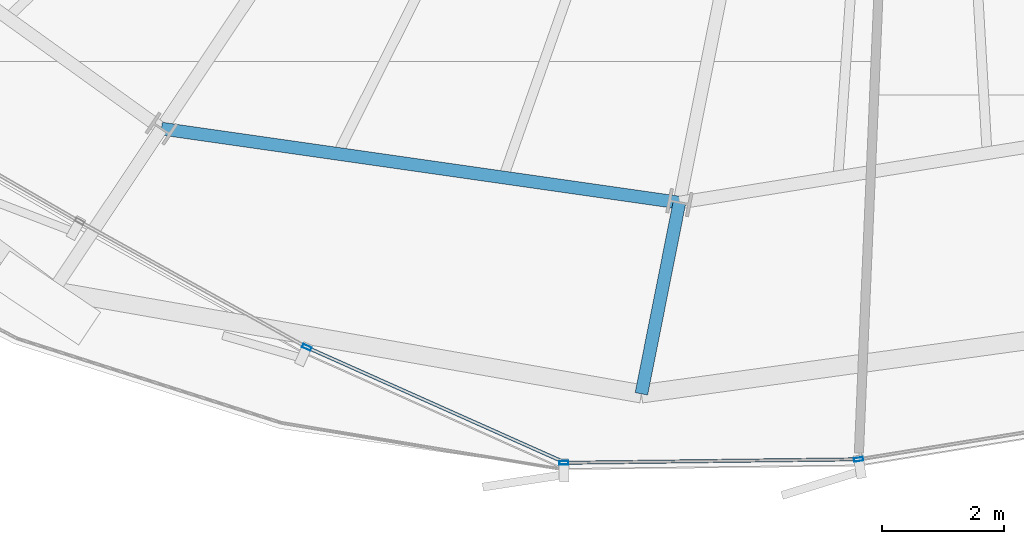
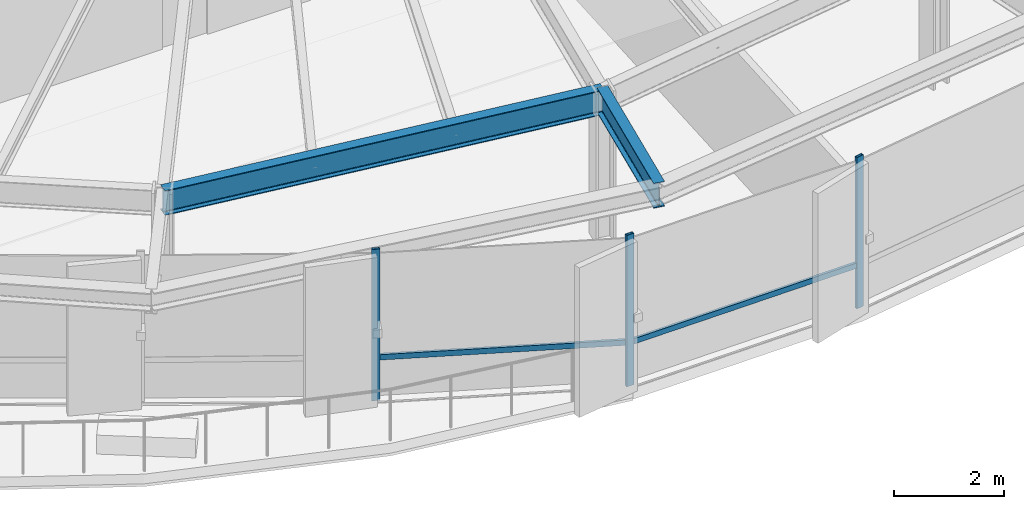
# One storey, part 5 of 35: 5 members, 2 beams, 1 element without a shape of its own.
"""IFC4 building model written with IfcOpenShell, lengths in metres."""

import ifcopenshell
import ifcopenshell.guid

model = None  # the IFC model being written
_history = None  # IfcOwnerHistory: only IFC2X3 demands one
_inside = {}  # id of a spatial element -> (the spatial element, [elements in it])
_under = {}  # id of a project, library or spatial element -> (it, [spatial elements below it])
_declared = {}  # id of a project -> (the project, [libraries it declares])
_typed = {}  # id of a type object -> (the type object, [elements of that type])
_made_of = {}  # id of a material, layer set ... -> (it, [elements and type objects made of it])


def new_model(schema):
    """Start an empty IFC model of exactly this schema.

    Asked for "IFC4X3", IfcOpenShell would pick the latest addendum, in which some entities
    have other attributes; the version numbers below select the first issue.
    IFC2X3 requires an IfcOwnerHistory on every rooted entity: one is made here for all.
    """
    global model, _history
    if schema == "IFC4X3":
        model = ifcopenshell.file(schema_version=(4, 3, 0, 0))
    else:
        model = ifcopenshell.file(schema=schema)
    _inside.clear()
    _under.clear()
    _declared.clear()
    _typed.clear()
    _made_of.clear()
    _history = None
    if model.schema == "IFC2X3":
        org = make("IfcOrganization", Name="unknown")
        user = make(
            "IfcPersonAndOrganization",
            ThePerson=make("IfcPerson", FamilyName="unknown"),
            TheOrganization=org,
        )
        app = make(
            "IfcApplication",
            ApplicationDeveloper=org,
            Version="unknown",
            ApplicationFullName="unknown",
            ApplicationIdentifier="unknown",
        )
        _history = make(
            "IfcOwnerHistory",
            OwningUser=user,
            OwningApplication=app,
            ChangeAction="ADDED",
            CreationDate=0,
        )
    return model


def make(cls, **values):
    """One entity of the class cls with the attributes given. An attribute that is None is left unset."""
    return model.create_entity(
        cls, **{name: value for name, value in values.items() if value is not None}
    )


def rooted(cls, **values):
    """An entity with a GlobalId (a new one), such as an element, a storey or a relation."""
    return make(cls, GlobalId=ifcopenshell.guid.new(), OwnerHistory=_history, **values)


def si_unit(unit_type, name, prefix=None):
    """IfcSIUnit, for example si_unit("LENGTHUNIT", "METRE", prefix="MILLI")."""
    return make("IfcSIUnit", UnitType=unit_type, Prefix=prefix, Name=name)


def assignment(units):
    """IfcUnitAssignment: the units of a project."""
    return None if units is None else make("IfcUnitAssignment", Units=units)


def point(xyz):
    """IfcCartesianPoint."""
    return None if xyz is None else make("IfcCartesianPoint", Coordinates=xyz)


def direction(xyz):
    """IfcDirection."""
    return None if xyz is None else make("IfcDirection", DirectionRatios=xyz)


def frame(location, z_axis=None, x_axis=None):
    """IfcAxis2Placement3D, a coordinate frame: its origin and axes. An axis left out is left unset."""
    return make(
        "IfcAxis2Placement3D",
        Location=point(location),
        Axis=direction(z_axis),
        RefDirection=direction(x_axis),
    )


def frame_2d(location, x_axis=None):
    """IfcAxis2Placement2D, a coordinate frame in the plane: its origin and x axis."""
    return make(
        "IfcAxis2Placement2D", Location=point(location), RefDirection=direction(x_axis)
    )


def origin():
    """The frame at (0, 0, 0) with its axes left unset."""
    return frame((0.0, 0.0, 0.0))


def origin_2d():
    """The frame at (0, 0) in the plane with its x axis left unset."""
    return frame_2d((0.0, 0.0))


def place(relative_to, where):
    """IfcLocalPlacement: puts the frame where relative to a parent placement (None: the world)."""
    return make(
        "IfcLocalPlacement", PlacementRelTo=relative_to, RelativePlacement=where
    )


def context(
    kind, dimensions, precision=None, world=None, true_north=None, identifier=None
):
    """IfcGeometricRepresentationContext, for example the 3D "Model" context."""
    return make(
        "IfcGeometricRepresentationContext",
        ContextIdentifier=identifier,
        ContextType=kind,
        CoordinateSpaceDimension=dimensions,
        Precision=precision,
        WorldCoordinateSystem=world,
        TrueNorth=true_north,
    )


def subcontext(parent, identifier, kind, view, scale=None):
    """IfcGeometricRepresentationSubContext, for example "Body" below "Model"."""
    return make(
        "IfcGeometricRepresentationSubContext",
        ContextIdentifier=identifier,
        ContextType=kind,
        ParentContext=parent,
        TargetScale=scale,
        TargetView=view,
    )


def project(units=None, contexts=None):
    """IfcProject with its units and contexts."""
    return rooted(
        "IfcProject",
        Name="project",
        RepresentationContexts=contexts,
        UnitsInContext=assignment(units),
    )


def spatial(cls, under=None, at=None, **own):
    """A site, building, storey or space (cls), placed at a placement, below another one or the project."""
    s = rooted(cls, ObjectPlacement=at, **own)
    if under is not None:
        _under.setdefault(under.id(), (under, []))[1].append(s)
    return s


def profile(cls, at=None, kind="AREA", **sizes):
    """A parametric profile (cls). Its sizes go by their IFC names, for example OverallWidth=200.0."""
    return make(cls, ProfileType=kind, Position=at, **sizes)


def hollow_rectangle(**sizes):
    """IfcRectangleHollowProfileDef."""
    return profile("IfcRectangleHollowProfileDef", **sizes)


def i_section(**sizes):
    """IfcIShapeProfileDef."""
    return profile("IfcIShapeProfileDef", **sizes)


def extrude(swept, where, along, depth):
    """IfcExtrudedAreaSolid: the profile swept, set in the frame where, extruded along a direction by depth."""
    return make(
        "IfcExtrudedAreaSolid",
        SweptArea=swept,
        Position=where,
        ExtrudedDirection=direction(along),
        Depth=depth,
    )


def shape(context_of_items, identifier, shape_type, items):
    """IfcShapeRepresentation: the items that make up one representation, for example the "Body"."""
    return make(
        "IfcShapeRepresentation",
        ContextOfItems=context_of_items,
        RepresentationIdentifier=identifier,
        RepresentationType=shape_type,
        Items=items,
    )


def source(mapping_origin, context_of_items, identifier, shape_type, items):
    """IfcRepresentationMap: a shape defined once, which mapped items show again and again."""
    return make(
        "IfcRepresentationMap",
        MappingOrigin=mapping_origin,
        MappedRepresentation=shape(context_of_items, identifier, shape_type, items),
    )


def transform(
    local_origin,
    x_axis=None,
    y_axis=None,
    z_axis=None,
    scale=None,
    scale2=None,
    scale3=None,
    uniform=True,
):
    """IfcCartesianTransformationOperator3D, or its non-uniform kind. x_axis, y_axis, z_axis: its Axis1, 2, 3."""
    if uniform:
        return make(
            "IfcCartesianTransformationOperator3D",
            Axis1=direction(x_axis),
            Axis2=direction(y_axis),
            LocalOrigin=point(local_origin),
            Scale=scale,
            Axis3=direction(z_axis),
        )
    return make(
        "IfcCartesianTransformationOperator3DnonUniform",
        Axis1=direction(x_axis),
        Axis2=direction(y_axis),
        LocalOrigin=point(local_origin),
        Scale=scale,
        Axis3=direction(z_axis),
        Scale2=scale2,
        Scale3=scale3,
    )


def mapped(mapping_source, mapping_target):
    """IfcMappedItem: shows the shape of a source again, moved by a transform."""
    return make(
        "IfcMappedItem", MappingSource=mapping_source, MappingTarget=mapping_target
    )


def material(Name=None, Category=None):
    """IfcMaterial."""
    return make("IfcMaterial", Name=Name, Category=Category)


def layer(
    of_material, thickness, ventilated=None, Name=None, Category=None, Priority=None
):
    """IfcMaterialLayer: one layer of a wall or slab, of a material (None: an air gap)."""
    return make(
        "IfcMaterialLayer",
        Material=of_material,
        LayerThickness=thickness,
        IsVentilated=ventilated,
        Name=Name,
        Category=Category,
        Priority=Priority,
    )


def layer_set(layers, Name=None):
    """IfcMaterialLayerSet."""
    return make("IfcMaterialLayerSet", MaterialLayers=layers, LayerSetName=Name)


def material_profile(
    of_material, cross_section, Name=None, Category=None, Priority=None
):
    """IfcMaterialProfile: a cross section and its material."""
    return make(
        "IfcMaterialProfile",
        Name=Name,
        Material=of_material,
        Profile=cross_section,
        Priority=Priority,
        Category=Category,
    )


def profile_set(profiles, Name=None, composite=None):
    """IfcMaterialProfileSet."""
    return make(
        "IfcMaterialProfileSet",
        Name=Name,
        MaterialProfiles=profiles,
        CompositeProfile=composite,
    )


def made_of(thing, what):
    """Note that an element or type object is made of a material, layer set ...; save() writes the relation."""
    if what is not None:
        _made_of.setdefault(what.id(), (what, []))[1].append(thing)
    return thing


def type_object(cls, material=None, **own):
    """A type object (cls), such as IfcWallType, which elements share."""
    return made_of(rooted(cls, **own), material)


def element(
    cls,
    number,
    at=None,
    inside=None,
    cuts=None,
    type_object=None,
    material=None,
    context=None,
    identifier="Body",
    shape_type=None,
    held_by="IfcProductDefinitionShape",
    body=None,
    shapes=None,
    **own,
):
    """One element of the class cls, such as IfcWall. Its Tag is "e" and its number.

    at: its placement. inside: the storey or other place that contains it. cuts: it is an
    opening in that element (IfcRelVoidsElement). A single representation is given by context,
    identifier, shape_type and body (its items); several are given by shapes. held_by: the class
    of the entity that holds the representations. save() writes the other relations.
    """
    e = rooted(cls, Tag="e%d" % number, ObjectPlacement=at, **own)
    if body is not None:
        shapes = [shape(context, identifier, shape_type, body)]
    if shapes is not None:
        e.Representation = make(held_by, Representations=shapes)
    if inside is not None:
        _inside.setdefault(inside.id(), (inside, []))[1].append(e)
    if cuts is not None:
        rooted(
            "IfcRelVoidsElement", RelatingBuildingElement=cuts, RelatedOpeningElement=e
        )
    if type_object is not None:
        _typed.setdefault(type_object.id(), (type_object, []))[1].append(e)
    return made_of(e, material)


def aggregate(whole, parts):
    """IfcRelAggregates: a whole, such as a stair, and the parts it consists of."""
    return rooted("IfcRelAggregates", RelatingObject=whole, RelatedObjects=parts)


def save(model, path):
    """Write the relations noted so far, then the file.

    IfcRelAggregates (storeys below a building ...), IfcRelContainedInSpatialStructure (elements
    in a storey), IfcRelDefinesByType, IfcRelAssociatesMaterial and IfcRelDeclares: one each for
    every whole, place, type object, material and project.
    """
    for whole, parts in _under.values():
        aggregate(whole, parts)
    for where, things in _inside.values():
        rooted(
            "IfcRelContainedInSpatialStructure",
            RelatedElements=things,
            RelatingStructure=where,
        )
    for kind, things in _typed.values():
        rooted("IfcRelDefinesByType", RelatedObjects=things, RelatingType=kind)
    for what, things in _made_of.values():
        rooted("IfcRelAssociatesMaterial", RelatedObjects=things, RelatingMaterial=what)
    for by, libraries in _declared.values():
        rooted("IfcRelDeclares", RelatingContext=by, RelatedDefinitions=libraries)
    model.write(path)


model = new_model("IFC4")

# Units and contexts
model_context = context("Model", 3, precision=1e-05, world=origin(), true_north=direction((0.0, 1.0)))
body_context = subcontext(model_context, "Body", "Model", "MODEL_VIEW")
ifc_project = project(units=[si_unit("LENGTHUNIT", "METRE"), si_unit("AREAUNIT", "SQUARE_METRE"), si_unit("VOLUMEUNIT", "CUBIC_METRE"), si_unit("PLANEANGLEUNIT", "RADIAN"), si_unit("MASSUNIT", "GRAM", prefix="KILO"), si_unit("THERMODYNAMICTEMPERATUREUNIT", "KELVIN")], contexts=[model_context])

# Site, building, storey
site_placement = place(None, origin())
site = spatial("IfcSite", under=ifc_project, at=site_placement, CompositionType="ELEMENT")
building_placement = place(site_placement, origin())
building = spatial("IfcBuilding", under=site, at=building_placement, Name="Kethvar Cultural Tower", CompositionType="ELEMENT")
storey_placement = place(building_placement, frame((0.0, 0.0, 121.60009765625)))
storey = spatial("IfcBuildingStorey", under=building, at=storey_placement, Name="L30", CompositionType="ELEMENT", Elevation=121.60009765625)

# Beams
ifc_material_1 = material(Name="Steel S355J2", Category="steel")
ifc_material_profile_1 = material_profile(ifc_material_1, i_section(OverallWidth=0.2099609375, OverallDepth=0.550048828125, WebThickness=0.010986328125, FlangeThickness=0.01708984375, FilletRadius=0.02392578125, at=origin_2d()), Name="Steel S355J2 — IPE550")
ifc_profile_set_1 = profile_set([ifc_material_profile_1], Name="Steel S355J2 — IPE550")
beam_type = type_object("IfcBeamType", Name="BM-IPE550", PredefinedType="BEAM", material=ifc_profile_set_1)
shared_shape_1 = source(origin(), body_context, "Body", "SweptSolid", [
    extrude(i_section(OverallWidth=0.2099609375, OverallDepth=0.550048828125, WebThickness=0.010986328125, FlangeThickness=0.01708984375, FilletRadius=0.02392578125, at=origin_2d()), origin(), (0.0, 0.0, 1.0), 3.2001953125),
])
beam_1_placement = place(storey_placement, frame((42.852294921875, 7.95361328125, 3.072998046875), z_axis=(-0.195074368086, -0.980788453702, 0.0), x_axis=(0.980788453702, -0.195074368086, 0.0)))
element("IfcBeam", 1, at=beam_1_placement, inside=storey, type_object=beam_type, Name="L30 Perimeter Cantilever Beam RC-12", PredefinedType="BEAM", context=body_context, shape_type="MappedRepresentation", body=[
    mapped(shared_shape_1, transform((0.0, 0.0, 0.0), scale=1.0)),
])
shared_shape_2 = source(origin(), body_context, "Body", "SweptSolid", [
    extrude(i_section(OverallWidth=0.2099609375, OverallDepth=0.550048828125, WebThickness=0.010986328125, FlangeThickness=0.01708984375, FilletRadius=0.02392578125, at=origin_2d()), origin(), (0.0, 0.0, 1.0), 8.587890625),
])
beam_2_placement = place(storey_placement, frame((34.350830078125, 9.16845703125, 3.072998046875), z_axis=(0.989943807123, -0.141461156288, 0.0), x_axis=(0.141461156288, 0.989943807123, 0.0)))
element("IfcBeam", 2, at=beam_2_placement, inside=storey, type_object=beam_type, Name="L30 Column Ring Tie Beam CR-11", PredefinedType="BEAM", context=body_context, shape_type="MappedRepresentation", body=[
    mapped(shared_shape_2, transform((0.0, 0.0, 0.0), scale=1.0)),
])

# Curtain wall, members
ifc_material_2 = material(Name="Aluminium 6063-T6", Category="aluminium")
ifc_layer = layer(ifc_material_2, 0.179931640625, Name="Aluminium 6063-T6", Category="aluminium")
ifc_layer_set = layer_set([ifc_layer], Name="Aluminium 6063-T6 (180 mm)")
curtain_wall_type = type_object("IfcCurtainWallType", Name="CW-SYS-03-Z2", PredefinedType="NOTDEFINED", material=ifc_layer_set)
curtain_wall_placement = place(storey_placement, origin())
curtain_wall = element("IfcCurtainWall", 3, at=curtain_wall_placement, inside=storey, type_object=curtain_wall_type, Name="L30 Curtain Wall Run 05", PredefinedType="NOTDEFINED")
ifc_material_profile_2 = material_profile(ifc_material_2, hollow_rectangle(XDim=0.06005859375, YDim=0.14990234375, WallThickness=0.0048828125, at=origin_2d()), Name="Aluminium 6063-T6 — RHS150x60x5")
ifc_profile_set_2 = profile_set([ifc_material_profile_2], Name="Aluminium 6063-T6 — RHS150x60x5")
member_type_1 = type_object("IfcMemberType", Name="CW-SYS-03-Z2-MUL", PredefinedType="MULLION", material=ifc_profile_set_2)
shared_shape_3 = source(origin(), body_context, "Body", "SweptSolid", [
    extrude(hollow_rectangle(XDim=0.06005859375, YDim=0.14990234375, WallThickness=0.0048828125, at=origin_2d()), origin(), (0.0, 0.0, 1.0), 3.349853515625),
])
member_1_placement = place(storey_placement, frame((36.735107421875, 5.57861328125, 0.0), z_axis=(0.0, 0.0, 1.0), x_axis=(0.407517768669, 0.913197277821, 0.0)))
member_1 = element("IfcMember", 4, at=member_1_placement, type_object=member_type_1, Name="CW-L30-R05 Mullion 3", PredefinedType="MULLION", context=body_context, shape_type="MappedRepresentation", body=[
    mapped(shared_shape_3, transform((0.0, 0.0, 0.0), scale=1.0)),
])
member_2_placement = place(storey_placement, frame((40.955810546875, 3.683349609375, 0.0), z_axis=(0.0, 0.0, 1.0), x_axis=(-0.011867960299, 0.999929573279, 0.0)))
member_2 = element("IfcMember", 5, at=member_2_placement, type_object=member_type_1, Name="CW-L30-R05 Mullion 4", PredefinedType="MULLION", context=body_context, shape_type="MappedRepresentation", body=[
    mapped(shared_shape_3, transform((0.0, 0.0, 0.0), scale=1.0)),
])
member_3_placement = place(storey_placement, frame((45.79345703125, 3.739501953125, 0.0), z_axis=(0.0, 0.0, 1.0), x_axis=(-0.160070701302, 0.987105551896, 0.0)))
member_3 = element("IfcMember", 6, at=member_3_placement, type_object=member_type_1, Name="CW-L30-R05 Mullion 5", PredefinedType="MULLION", context=body_context, shape_type="MappedRepresentation", body=[
    mapped(shared_shape_3, transform((0.0, 0.0, 0.0), scale=1.0)),
])
ifc_material_profile_3 = material_profile(ifc_material_2, hollow_rectangle(XDim=0.054931640625, YDim=0.1201171875, WallThickness=0.00390625, at=origin_2d()), Name="Aluminium 6063-T6 — RHS120x55x4")
ifc_profile_set_3 = profile_set([ifc_material_profile_3], Name="Aluminium 6063-T6 — RHS120x55x4")
member_type_2 = type_object("IfcMemberType", Name="CW-SYS-03-Z2-TRN", PredefinedType="USERDEFINED", material=ifc_profile_set_3)
shared_shape_4 = source(origin(), body_context, "Body", "SweptSolid", [
    extrude(hollow_rectangle(XDim=0.054931640625, YDim=0.1201171875, WallThickness=0.00390625, at=origin_2d()), origin(), (0.0, 0.0, 1.0), 4.7685546875),
])
member_4_placement = place(storey_placement, frame((40.9990234375, 3.683837890625, 0.949951171875), z_axis=(0.999929457466, 0.011877714102, 0.0), x_axis=(-0.011877714102, 0.999929457466, 0.0)))
member_4 = element("IfcMember", 7, at=member_4_placement, type_object=member_type_2, Name="CW-L30-R05 Transom 4", ObjectType="TRANSOM", PredefinedType="USERDEFINED", context=body_context, shape_type="MappedRepresentation", body=[
    mapped(shared_shape_4, transform((0.0, 0.0, 0.0), scale=1.0)),
])
shared_shape_5 = source(origin(), body_context, "Body", "SweptSolid", [
    extrude(hollow_rectangle(XDim=0.054931640625, YDim=0.1201171875, WallThickness=0.00390625, at=origin_2d()), origin(), (0.0, 0.0, 1.0), 4.588134765625),
])
member_5_placement = place(storey_placement, frame((36.774658203125, 5.560791015625, 0.949951171875), z_axis=(0.913189514673, -0.407535164484, 0.0), x_axis=(0.407535164484, 0.913189514673, 0.0)))
member_5 = element("IfcMember", 8, at=member_5_placement, type_object=member_type_2, Name="CW-L30-R05 Transom 3", ObjectType="TRANSOM", PredefinedType="USERDEFINED", context=body_context, shape_type="MappedRepresentation", body=[
    mapped(shared_shape_5, transform((0.0, 0.0, 0.0), scale=1.0)),
])
aggregate(curtain_wall, [member_1, member_2, member_3, member_5, member_4])

save(model, "model.ifc")
